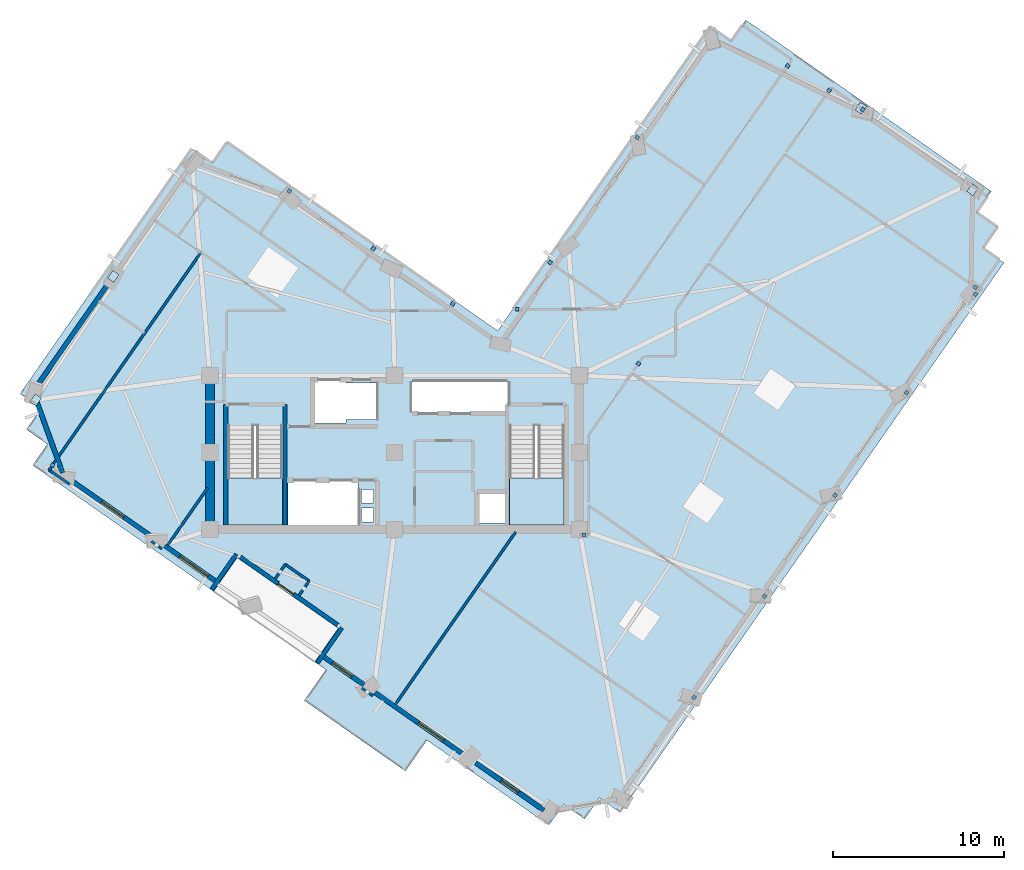
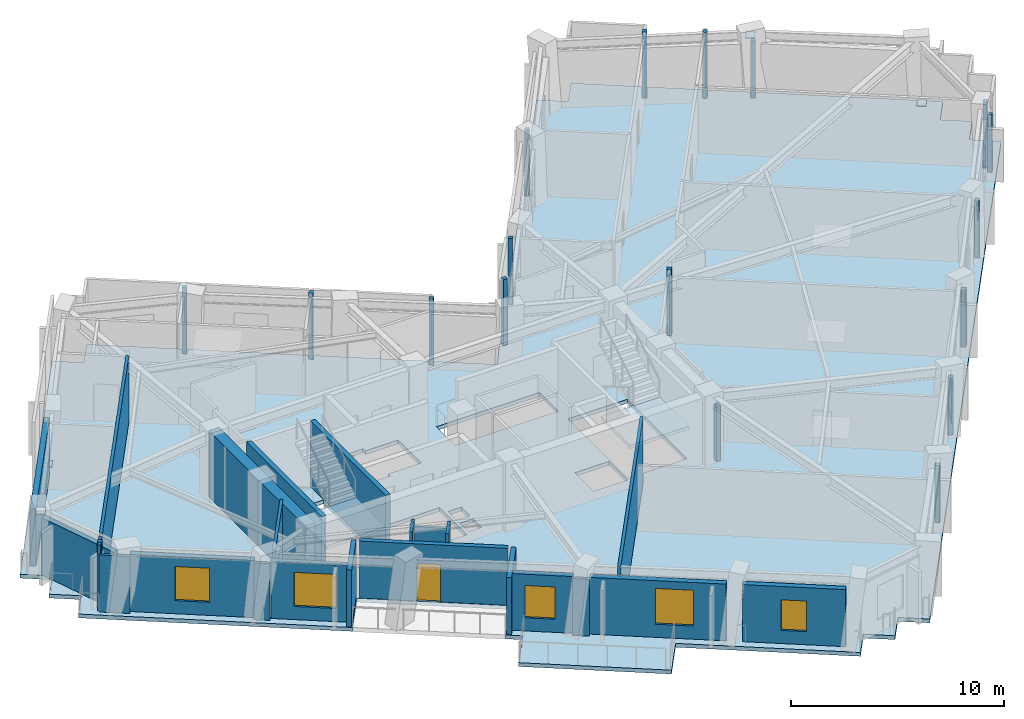
# One storey, part 3 of 12: 23 walls, 22 plates, 5 windows, 3 slabs, 1 door, 6 openings, 2 elements without a shape of their own.
"""IFC4 building model written with IfcOpenShell, lengths in metres."""

from ifc_helpers import new_model, si_unit, direction, frame, frame_2d, origin, origin_2d, place, context, subcontext, project, spatial, polyline, rectangle, outline, extrude, material, layer, layer_set, type_object, element, fill, aggregate, save


model = new_model("IFC4")

# Units and contexts
model_context = context("Model", 3, precision=1e-05, world=origin(), true_north=direction((0.0, 1.0)))
body_context = subcontext(model_context, "Body", "Model", "MODEL_VIEW")
ifc_project = project(units=[si_unit("LENGTHUNIT", "METRE"), si_unit("AREAUNIT", "SQUARE_METRE"), si_unit("VOLUMEUNIT", "CUBIC_METRE"), si_unit("PLANEANGLEUNIT", "RADIAN"), si_unit("MASSUNIT", "GRAM", prefix="KILO")], contexts=[model_context])

# Site, building, storey
site_placement = place(None, origin())
site = spatial("IfcSite", under=ifc_project, at=site_placement, CompositionType="ELEMENT")
building_placement = place(site_placement, origin())
building = spatial("IfcBuilding", under=site, at=building_placement, Name="Gaonmaruhae Medical Tower", CompositionType="ELEMENT")
storey_placement = place(building_placement, frame((0.0, 0.0, 259.199951171875)))
storey = spatial("IfcBuildingStorey", under=building, at=storey_placement, Name="L62", CompositionType="ELEMENT", Elevation=259.199951171875)

# Slab
ifc_material_1 = material(Name="Concrete C40/50", Category="concrete")
ifc_layer_1 = layer(ifc_material_1, 0.219970703125)
ifc_layer_set_1 = layer_set([ifc_layer_1], Name="Concrete C40/50")
slab_type_1 = type_object("IfcSlabType", Name="FS-220 Clinical Ward Composite Floor Slab", PredefinedType="FLOOR", material=ifc_layer_set_1)
slab_1_placement = place(storey_placement, frame((0.0, 0.0, -0.219970703125)))
element("IfcSlab", 1, at=slab_1_placement, inside=storey, type_object=slab_type_1, Name="L62 Structural Slab 1", PredefinedType="FLOOR", context=body_context, shape_type="SweptSolid", body=[
    extrude(outline(polyline([(4.49560546875, 12.79248046875), (3.265380859375, 13.650634765625), (4.12353515625, 14.880859375), (2.893310546875, 15.739013671875), (12.906005859375, 30.091796875), (14.135986328125, 29.233642578125), (14.994384765625, 30.4638671875), (30.8232421875, 19.42138671875), (43.23876953125, 37.21875), (44.468994140625, 36.3603515625), (45.327392578125, 37.5908203125), (59.679931640625, 27.578125), (58.82177734375, 26.347900390625), (60.052001953125, 25.48974609375), (59.193603515625, 24.259521484375), (60.423828125, 23.401123046875), (37.995849609375, -8.748779296875), (36.765625, -7.890380859375), (35.907470703125, -9.12060546875), (34.677001953125, -8.262451171875), (33.81884765625, -9.49267578125), (26.68359375, -4.51513671875), (25.4248046875, -6.3193359375), (19.519775390625, -2.199951171875), (20.778564453125, -0.3955078125), (20.122314453125, 0.06201171875), (21.49560546875, 2.030517578125), (15.59033203125, 6.14990234375), (14.21728515625, 4.181396484375), (3.63720703125, 11.562255859375), (4.49560546875, 12.79248046875)]), holes=[polyline([(23.550048828125, 8.25), (22.85009765625, 8.25), (22.85009765625, 9.050048828125), (23.550048828125, 9.050048828125), (23.550048828125, 8.25)]), polyline([(31.425048828125, 9.925048828125), (31.425048828125, 8.175048828125), (29.574951171875, 8.175048828125), (29.574951171875, 9.925048828125), (31.425048828125, 9.925048828125)]), polyline([(22.64990234375, 10.625), (22.64990234375, 8.074951171875), (18.550048828125, 8.074951171875), (18.550048828125, 10.625), (22.64990234375, 10.625)]), polyline([(23.550048828125, 9.35009765625), (22.85009765625, 9.35009765625), (22.85009765625, 10.14990234375), (23.550048828125, 10.14990234375), (23.550048828125, 9.35009765625)]), polyline([(15.050048828125, 13.889892578125), (18.25, 13.889892578125), (18.25, 8.300048828125), (15.050048828125, 8.300048828125), (15.050048828125, 13.889892578125)]), polyline([(31.5, 13.889892578125), (34.699951171875, 13.889892578125), (34.699951171875, 8.300048828125), (31.5, 8.300048828125), (31.5, 13.889892578125)]), polyline([(21.949951171875, 14.22509765625), (21.949951171875, 14.02490234375), (19.949951171875, 14.02490234375), (19.949951171875, 16.574951171875), (21.949951171875, 16.574951171875), (21.949951171875, 16.375), (23.72509765625, 16.375), (23.72509765625, 14.22509765625), (21.949951171875, 14.22509765625)]), polyline([(31.425048828125, 16.425048828125), (31.425048828125, 14.675048828125), (25.824951171875, 14.675048828125), (25.824951171875, 16.425048828125), (31.425048828125, 16.425048828125)])]), origin(), (0.0, 0.0, 1.0), 0.219970703125),
])

# Plates
ifc_material_2 = material(Name="Steel HSA650 (650 MPa)", Category="steel")
ifc_layer_2 = layer(ifc_material_2, 0.028076171875)
ifc_layer_set_2 = layer_set([ifc_layer_2], Name="Steel HSA650 (650 MPa)")
plate_type_1 = type_object("IfcPlateType", Name="GP-02 Tube Brace End Cap Gusset Plate", PredefinedType="USERDEFINED", material=ifc_layer_set_2)
for number, where, z_axis, x_axis, name in (
    (2, (58.586181640625, 27.670654296875, 0.23583984375), (0.0, 0.0, 1.0), (0.572145873446, 0.820151875874, 0.0), "L62 Gusset Cap Plate PLT-L62-PBR-E01A"),
    (3, (52.064697265625, 32.4404296875, 3.51611328125), (0.0, 0.0, 1.0), (0.558469218875, 0.829525244685, 0.0), "L62 Gusset Cap Plate PLT-L62-PBR-E01B"),
    (4, (8.3505859375, 22.600830078125, 0.23583984375), (0.0, 0.0, 1.0), (0.572145873446, 0.820151875874, 0.0), "L62 Gusset Cap Plate PLT-L62-PBR-N02A"),
    (5, (3.811279296875, 15.38037109375, 3.51611328125), (0.0, 0.0, 1.0), (0.558469218875, 0.829525244685, 0.0), "L62 Gusset Cap Plate PLT-L62-PBR-N02B"),
):
    element("IfcPlate", number, at=place(storey_placement, frame(where, z_axis=z_axis, x_axis=x_axis)), inside=storey, type_object=plate_type_1, Name=name, ObjectType="GUSSET_PLATE", PredefinedType="USERDEFINED", context=body_context, shape_type="SweptSolid", body=[
        extrude(rectangle(XDim=0.56005859375, YDim=0.43994140625, at=origin_2d()), origin(), (0.0, 0.0, 1.0), 0.028076171875),
    ])
ifc_material_3 = material(Name="Anodised aluminium 6063-T6", Category="aluminium")
ifc_layer_3 = layer(ifc_material_3, 0.011962890625)
ifc_layer_set_3 = layer_set([ifc_layer_3], Name="Anodised aluminium 6063-T6")
plate_type_2 = type_object("IfcPlateType", Name="PP-01 Interior Partition Corner Stiffener Plate", PredefinedType="SHEET", material=ifc_layer_set_3)
plate_1_placement = place(storey_placement, frame((42.302490234375, -2.0166015625, 0.0), z_axis=(0.0, 0.0, 1.0), x_axis=(-0.572289008237, -0.82005200509, 0.0)))
element("IfcPlate", 6, at=plate_1_placement, inside=storey, type_object=plate_type_2, Name="L62 Partition Corner Stiffener Plate PLT-L62-JGP-PW008", PredefinedType="SHEET", context=body_context, shape_type="SweptSolid", body=[
    extrude(rectangle(XDim=0.219970703125, YDim=0.219970703125, at=origin_2d()), origin(), (0.0, 0.0, 1.0), 3.264892578125),
])
plate_2_placement = place(storey_placement, frame((35.875, 7.5, 0.0), z_axis=(0.0, 0.0, 1.0), x_axis=(1.0, 0.0, 0.0)))
element("IfcPlate", 7, at=plate_2_placement, inside=storey, type_object=plate_type_2, Name="L62 Partition Corner Stiffener Plate PLT-L62-JGP-PW011", PredefinedType="SHEET", context=body_context, shape_type="SweptSolid", body=[
    extrude(rectangle(XDim=0.219970703125, YDim=0.219970703125, at=origin_2d()), origin(), (0.0, 0.0, 1.0), 3.1650390625),
])
for number, where, z_axis, x_axis, name in (
    (8, (46.42138671875, 3.888427734375, 0.0), (0.0, 0.0, 1.0), (-0.571472906544, -0.820620933858, 0.0), "L62 Partition Corner Stiffener Plate PLT-L62-JGP-PW014"),
    (9, (50.541015625, 9.79345703125, 0.0), (0.0, 0.0, 1.0), (-0.572017037232, -0.820241738219, 0.0), "L62 Partition Corner Stiffener Plate PLT-L62-JGP-PW020"),
):
    element("IfcPlate", number, at=place(storey_placement, frame(where, z_axis=z_axis, x_axis=x_axis)), inside=storey, type_object=plate_type_2, Name=name, PredefinedType="SHEET", context=body_context, shape_type="SweptSolid", body=[
        extrude(rectangle(XDim=0.219970703125, YDim=0.219970703125, at=origin_2d()), origin(), (0.0, 0.0, 1.0), 3.264892578125),
    ])
for number, where, z_axis, x_axis, name in (
    (10, (39.054931640625, 17.50146484375, 0.0), (0.0, 0.0, 1.0), (0.57221744302, 0.820101943604, 0.0), "L62 Partition Corner Stiffener Plate PLT-L62-JGP-PW021"),
    (11, (58.751953125, 21.964111328125, 0.0), (0.0, 0.0, 1.0), (0.820461316522, -0.571702044854, 0.0), "L62 Partition Corner Stiffener Plate PLT-L62-JGP-PW025"),
):
    element("IfcPlate", number, at=place(storey_placement, frame(where, z_axis=z_axis, x_axis=x_axis)), inside=storey, type_object=plate_type_2, Name=name, PredefinedType="SHEET", context=body_context, shape_type="SweptSolid", body=[
        extrude(rectangle(XDim=0.219970703125, YDim=0.219970703125, at=origin_2d()), origin(), (0.0, 0.0, 1.0), 3.780029296875),
    ])
for number, where, z_axis, x_axis, name in (
    (12, (58.74951171875, 21.5595703125, 0.0), (0.0, 0.0, 1.0), (-0.571544517054, -0.820571060314, 0.0), "L62 Partition Corner Stiffener Plate PLT-L62-JGP-PW026"),
    (13, (54.72802734375, 15.79443359375, 0.0), (0.0, 0.0, 1.0), (-0.572861373028, -0.819652272182, 0.0), "L62 Partition Corner Stiffener Plate PLT-L62-JGP-PW027"),
):
    element("IfcPlate", number, at=place(storey_placement, frame(where, z_axis=z_axis, x_axis=x_axis)), inside=storey, type_object=plate_type_2, Name=name, PredefinedType="SHEET", context=body_context, shape_type="SweptSolid", body=[
        extrude(rectangle(XDim=0.219970703125, YDim=0.219970703125, at=origin_2d()), origin(), (0.0, 0.0, 1.0), 3.264892578125),
    ])
plate_3_placement = place(storey_placement, frame((50.196533203125, 33.471435546875, 0.0), z_axis=(0.0, 0.0, 1.0), x_axis=(0.571415615003, 0.820660828193, 0.0)))
element("IfcPlate", 14, at=plate_3_placement, inside=storey, type_object=plate_type_2, Name="L62 Partition Corner Stiffener Plate PLT-L62-JGP-PW032", PredefinedType="SHEET", context=body_context, shape_type="SweptSolid", body=[
    extrude(rectangle(XDim=0.219970703125, YDim=0.219970703125, at=origin_2d()), origin(), (0.0, 0.0, 1.0), 3.780029296875),
])
plate_4_placement = place(storey_placement, frame((52.16748046875, 32.35546875, 0.0), z_axis=(0.0, 0.0, 1.0), x_axis=(0.820720662197, -0.571329672469, 0.0)))
element("IfcPlate", 15, at=plate_4_placement, inside=storey, type_object=plate_type_2, Name="L62 Partition Corner Stiffener Plate PLT-L62-JGP-PW034", PredefinedType="SHEET", context=body_context, shape_type="SweptSolid", body=[
    extrude(rectangle(XDim=0.219970703125, YDim=0.219970703125, at=origin_2d()), origin(), (0.0, 0.0, 1.0), 3.264892578125),
])
for number, where, z_axis, x_axis, name in (
    (16, (4.797119140625, 11.5634765625, 0.0), (0.0, 0.0, 1.0), (0.572002721226, 0.820251721675, 0.0), "L62 Partition Corner Stiffener Plate PLT-L62-JGP-PW050"),
    (17, (33.87646484375, 23.41748046875, 0.0), (0.0, 0.0, 1.0), (0.820201801897, -0.572074299514, 0.0), "L62 Partition Corner Stiffener Plate PLT-L62-JGP-PW054"),
    (18, (31.966552734375, 20.679931640625, 0.0), (0.0, 0.0, 1.0), (-1.0, 0.0, 0.0), "L62 Partition Corner Stiffener Plate PLT-L62-JGP-PW057"),
    (19, (38.982421875, 30.716552734375, 0.0), (0.0, 0.0, 1.0), (0.820151875874, -0.572145873446, 0.0), "L62 Partition Corner Stiffener Plate PLT-L62-JGP-PW061"),
    (20, (47.7734375, 34.909423828125, 0.0), (0.0, 0.0, 1.0), (-0.572160187709, -0.82014188992, 0.0), "L62 Partition Corner Stiffener Plate PLT-L62-JGP-PW065"),
    (21, (23.551513671875, 24.2294921875, 0.0), (0.0, 0.0, 1.0), (0.572074299514, 0.820201801897, 0.0), "L62 Partition Corner Stiffener Plate PLT-L62-JGP-PW072"),
    (22, (28.189453125, 20.993408203125, 0.0), (0.0, 0.0, 1.0), (-0.572074299514, -0.820201801897, 0.0), "L62 Partition Corner Stiffener Plate PLT-L62-JGP-PW074"),
    (23, (18.637939453125, 27.58544921875, 0.0), (0.0, 0.0, 1.0), (0.572131559008, 0.820161861578, 0.0), "L62 Partition Corner Stiffener Plate PLT-L62-JGP-PW077"),
):
    element("IfcPlate", number, at=place(storey_placement, frame(where, z_axis=z_axis, x_axis=x_axis)), inside=storey, type_object=plate_type_2, Name=name, PredefinedType="SHEET", context=body_context, shape_type="SweptSolid", body=[
        extrude(rectangle(XDim=0.219970703125, YDim=0.219970703125, at=origin_2d()), origin(), (0.0, 0.0, 1.0), 3.780029296875),
    ])

# Stair, slab
stair_type = type_object("IfcStairType", Name="ST-T1 Primary Core Escape Dogleg Stair", PredefinedType="TWO_QUARTER_TURN_STAIR", material=ifc_material_1)
stair_1_placement = place(storey_placement, origin())
stair_1 = element("IfcStair", 24, at=stair_1_placement, inside=storey, type_object=stair_type, Name="L62 Protected Escape Stair ST-01", PredefinedType="TWO_QUARTER_TURN_STAIR")
ifc_layer_4 = layer(ifc_material_1, 0.199951171875)
ifc_layer_set_4 = layer_set([ifc_layer_4], Name="Concrete C40/50")
slab_type_2 = type_object("IfcSlabType", Name="SL-200 Stair & Ramp Intermediate Concrete Landing", PredefinedType="LANDING", material=ifc_layer_set_4)
slab_2_placement = place(storey_placement, frame((0.0, 0.0, 1.800048828125)))
slab_2 = element("IfcSlab", 25, at=slab_2_placement, type_object=slab_type_2, Name="ST-01 landing 1", PredefinedType="LANDING", context=body_context, shape_type="SweptSolid", body=[
    extrude(outline(polyline([(15.050048828125, 10.820068359375), (15.050048828125, 8.0791015625), (18.25, 8.0791015625), (18.25, 10.820068359375), (15.050048828125, 10.820068359375)])), origin(), (0.0, 0.0, 1.0), 0.199951171875),
])
aggregate(stair_1, [slab_2])

stair_2_placement = place(storey_placement, origin())
stair_2 = element("IfcStair", 26, at=stair_2_placement, inside=storey, type_object=stair_type, Name="L62 Protected Escape Stair ST-02", PredefinedType="TWO_QUARTER_TURN_STAIR")
slab_3_placement = place(storey_placement, frame((0.0, 0.0, 1.800048828125)))
slab_3 = element("IfcSlab", 27, at=slab_3_placement, type_object=slab_type_2, Name="ST-02 landing 1", PredefinedType="LANDING", context=body_context, shape_type="SweptSolid", body=[
    extrude(outline(polyline([(31.5, 10.820068359375), (31.5, 8.0791015625), (34.699951171875, 8.0791015625), (34.699951171875, 10.820068359375), (31.5, 10.820068359375)])), origin(), (0.0, 0.0, 1.0), 0.199951171875),
])
aggregate(stair_2, [slab_3])

# Wall
ifc_material_4 = material(Name="Concrete C50/60", Category="concrete")
ifc_layer_5 = layer(ifc_material_4, 0.550048828125)
ifc_layer_set_5 = layer_set([ifc_layer_5], Name="Concrete C50/60")
wall_type_1 = type_object("IfcWallType", Name="CW-550 Mid-High Core Shear Wall", PredefinedType="SHEAR", material=ifc_layer_set_5)
wall_1_placement = place(storey_placement, frame((14.0, 16.800048828125, 0.0), z_axis=(0.0, 0.0, 1.0), x_axis=(0.0, -1.0, 0.0)))
element("IfcWall", 28, at=wall_1_placement, inside=storey, type_object=wall_type_1, Name="L62 Core Shear Wall CSW-W1", PredefinedType="SHEAR", context=body_context, shape_type="SweptSolid", body=[
    extrude(rectangle(XDim=9.0, YDim=0.550048828125, at=frame_2d((4.5, 0.0))), origin(), (0.0, 0.0, 1.0), 3.780029296875),
])

# Wall, opening, door
ifc_material_5 = material(Name="Precast concrete C45/55", Category="concrete")
ifc_layer_6 = layer(ifc_material_5, 0.239990234375)
ifc_layer_set_6 = layer_set([ifc_layer_6], Name="Precast concrete C45/55")
wall_type_2 = type_object("IfcWallType", Name="EW-240 Ribbon & Shelter Insulated Precast Wall", PredefinedType="SOLIDWALL", material=ifc_layer_set_6)
wall_2_placement = place(storey_placement, frame((21.477294921875, 2.2138671875, 0.0), z_axis=(0.0, 0.0, 1.0), x_axis=(-0.820148773513, 0.57215032055, 0.0)))
wall_2 = element("IfcWall", 29, at=wall_2_placement, inside=storey, type_object=wall_type_2, Name="L62 Recessed Terrace Enclosure Wall TERB", PredefinedType="SOLIDWALL", context=body_context, shape_type="SweptSolid", body=[
    extrude(rectangle(XDim=6.9599609375, YDim=0.239990234375, at=frame_2d((3.47998046875, 0.0))), origin(), (0.0, 0.0, 1.0), 3.26513671875),
])
opening_1_placement = place(wall_2_placement, frame((3.15234375, 0.0, 0.0)))
opening_1 = element("IfcOpeningElement", 30, at=opening_1_placement, cuts=wall_2, Name="Opening TD-01", PredefinedType="OPENING", context=body_context, shape_type="SweptSolid", body=[
    extrude(rectangle(XDim=1.10009765625, YDim=2.14990234375, at=frame_2d((0.550048828125, 1.074951171875))), frame((0.0, 0.1298828125, 0.0), z_axis=(0.0, -1.0, 0.0), x_axis=(1.0, 0.0, 0.0)), (0.0, 0.0, 1.0), 0.260009765625),
])
ifc_material_6 = material(Name="Anodised aluminium and toughened safety glass", Category="aluminium")
door_type = type_object("IfcDoorType", Name="TD-01 Terrace & Sky Garden Glazed Door 1100x2150", OperationType="NOTDEFINED", PredefinedType="DOOR", material=ifc_material_6)
door_placement = place(opening_1_placement, origin())
door = element("IfcDoor", 31, at=door_placement, inside=storey, type_object=door_type, Name="L62 Outdoor Terrace Access Door SLB-L62-TER", OperationType="SINGLE_SWING_RIGHT", OverallHeight=2.14990234375, OverallWidth=1.10009765625, PredefinedType="DOOR", context=body_context, shape_type="SweptSolid", body=[
    extrude(rectangle(XDim=1.10009765625, YDim=2.14990234375, at=frame_2d((0.550048828125, 1.074951171875))), frame((0.0, 0.02490234375, 0.0), z_axis=(0.0, -1.0, 0.0), x_axis=(1.0, 0.0, 0.0)), (0.0, 0.0, 1.0), 0.050048828125),
])
fill(opening_1, door)

# Walls
wall_3_placement = place(storey_placement, frame((20.276611328125, 0.00341796875, 0.0), z_axis=(0.0, 0.0, 1.0), x_axis=(0.572111321858, 0.820175978313, 0.0)))
element("IfcWall", 32, at=wall_3_placement, inside=storey, type_object=wall_type_2, Name="L62 Recessed Terrace Enclosure Wall TERL", PredefinedType="SOLIDWALL", context=body_context, shape_type="SweptSolid", body=[
    extrude(rectangle(XDim=2.499755859375, YDim=0.239990234375, at=frame_2d((1.25, 0.0))), origin(), (0.0, 0.0, 1.0), 3.26513671875),
])
wall_4_placement = place(storey_placement, frame((15.539306640625, 6.356201171875, 0.0), z_axis=(0.0, 0.0, 1.0), x_axis=(-0.57217701331, -0.820130151524, 0.0)))
element("IfcWall", 33, at=wall_4_placement, inside=storey, type_object=wall_type_2, Name="L62 Recessed Terrace Enclosure Wall TERR", PredefinedType="SOLIDWALL", context=body_context, shape_type="SweptSolid", body=[
    extrude(rectangle(XDim=2.5, YDim=0.239990234375, at=frame_2d((1.25, 0.0))), origin(), (0.0, 0.0, 1.0), 3.26513671875),
])
ifc_layer_7 = layer(ifc_material_5, 0.280029296875)
ifc_layer_set_7 = layer_set([ifc_layer_7], Name="Precast concrete C45/55")
wall_type_3 = type_object("IfcWallType", Name="EW-280 Upper Precast Masonry-Frame Facade Wall", PredefinedType="SOLIDWALL", material=ifc_layer_set_7)
wall_5_placement = place(storey_placement, frame((3.762939453125, 16.0244140625, 0.0), z_axis=(0.0, 0.0, 1.0), x_axis=(0.572152513546, 0.820147243635, 0.0)))
element("IfcWall", 34, at=wall_5_placement, inside=storey, type_object=wall_type_3, Name="L62 Precast Masonry-Frame Wall N02-N03", PredefinedType="SOLIDWALL", context=body_context, shape_type="SweptSolid", body=[
    extrude(rectangle(XDim=7.48486328125, YDim=0.280029296875, at=frame_2d((3.742431640625, 0.0))), origin(), (0.0, 0.0, 1.0), 3.26513671875),
])
wall_6_placement = place(storey_placement, frame((5.38134765625, 11.11328125, 0.0), z_axis=(0.0, 0.0, 1.0), x_axis=(-0.340119408448, 0.940382256317, 0.0)))
element("IfcWall", 35, at=wall_6_placement, inside=storey, type_object=wall_type_3, Name="L62 Precast Masonry-Frame Wall N03-W01", PredefinedType="SOLIDWALL", context=body_context, shape_type="SweptSolid", body=[
    extrude(rectangle(XDim=4.407958984375, YDim=0.280029296875, at=frame_2d((2.2041015625, 0.0))), origin(), (0.0, 0.0, 1.0), 3.26513671875),
])

# Wall, opening, window
wall_7_placement = place(storey_placement, frame((10.70751953125, 7.30078125, 0.0), z_axis=(0.0, 0.0, 1.0), x_axis=(-0.820153456828, 0.572143607194, 0.0)))
wall_7 = element("IfcWall", 36, at=wall_7_placement, inside=storey, type_object=wall_type_3, Name="L62 Precast Masonry-Frame Wall W01-W02", PredefinedType="SOLIDWALL", context=body_context, shape_type="SweptSolid", body=[
    extrude(rectangle(XDim=5.83056640625, YDim=0.280029296875, at=frame_2d((2.915283203125, 0.0))), origin(), (0.0, 0.0, 1.0), 3.26513671875),
])
opening_2_placement = place(wall_7_placement, frame((2.111328125, 0.0, 0.75)))
opening_2 = element("IfcOpeningElement", 37, at=opening_2_placement, cuts=wall_7, Name="Opening WN-01", PredefinedType="OPENING", context=body_context, shape_type="SweptSolid", body=[
    extrude(rectangle(XDim=1.60009765625, YDim=1.949951171875, at=frame_2d((0.800048828125, 0.97509765625))), frame((0.0, 0.14990234375, 0.0), z_axis=(0.0, -1.0, 0.0), x_axis=(1.0, 0.0, 0.0)), (0.0, 0.0, 1.0), 0.300048828125),
])
ifc_material_7 = material(Name="Anodised aluminium and Low-E double glazing", Category="aluminium")
window_type_1 = type_object("IfcWindowType", Name="WN-01 Ward Punched Acoustic Window 1600x1950", PartitioningType="SINGLE_PANEL", PredefinedType="WINDOW", material=ifc_material_7)
window_1_placement = place(opening_2_placement, origin())
window_1 = element("IfcWindow", 38, at=window_1_placement, inside=storey, type_object=window_type_1, Name="L62 Modular Facade Window W01", OverallHeight=1.949951171875, OverallWidth=1.60009765625, PartitioningType="SINGLE_PANEL", PredefinedType="WINDOW", context=body_context, shape_type="SweptSolid", body=[
    extrude(rectangle(XDim=1.60009765625, YDim=1.949951171875, at=frame_2d((0.800048828125, 0.97509765625))), frame((0.0, 0.030029296875, 0.0), z_axis=(0.0, -1.0, 0.0), x_axis=(1.0, 0.0, 0.0)), (0.0, 0.0, 1.0), 0.06005859375),
])
fill(opening_2, window_1)

wall_8_placement = place(storey_placement, frame((14.38427734375, 4.735595703125, 0.0), z_axis=(0.0, 0.0, 1.0), x_axis=(-0.82012983446, 0.572177467774, 0.0)))
wall_8 = element("IfcWall", 39, at=wall_8_placement, inside=storey, type_object=wall_type_3, Name="L62 Precast Masonry-Frame Wall W02-W03", PredefinedType="SOLIDWALL", context=body_context, shape_type="SweptSolid", body=[
    extrude(rectangle(XDim=3.7001953125, YDim=0.280029296875, at=frame_2d((1.85009765625, 0.0))), origin(), (0.0, 0.0, 1.0), 3.2451171875),
])
opening_3_placement = place(wall_8_placement, frame((0.60498046875, 0.0, 0.75)))
opening_3 = element("IfcOpeningElement", 40, at=opening_3_placement, cuts=wall_8, Name="Opening WN-02", PredefinedType="OPENING", context=body_context, shape_type="SweptSolid", body=[
    extrude(rectangle(XDim=2.0, YDim=1.949951171875, at=frame_2d((1.0, 0.97509765625))), frame((0.0, 0.14990234375, 0.0), z_axis=(0.0, -1.0, 0.0), x_axis=(1.0, 0.0, 0.0)), (0.0, 0.0, 1.0), 0.300048828125),
])
window_type_2 = type_object("IfcWindowType", Name="WN-02 Double-Bed Ward Punched Window 2000x1950", PartitioningType="SINGLE_PANEL", PredefinedType="WINDOW", material=ifc_material_7)
window_2_placement = place(opening_3_placement, origin())
window_2 = element("IfcWindow", 41, at=window_2_placement, inside=storey, type_object=window_type_2, Name="L62 Modular Facade Window W02", OverallHeight=1.949951171875, OverallWidth=2.0, PartitioningType="SINGLE_PANEL", PredefinedType="WINDOW", context=body_context, shape_type="SweptSolid", body=[
    extrude(rectangle(XDim=2.0, YDim=1.949951171875, at=frame_2d((1.0, 0.97509765625))), frame((0.0, 0.030029296875, 0.0), z_axis=(0.0, -1.0, 0.0), x_axis=(1.0, 0.0, 0.0)), (0.0, 0.0, 1.0), 0.06005859375),
])
fill(opening_3, window_2)

wall_9_placement = place(storey_placement, frame((23.0068359375, -1.279541015625, 0.0), z_axis=(0.0, 0.0, 1.0), x_axis=(-0.820151311961, 0.572146681794, 0.0)))
wall_9 = element("IfcWall", 42, at=wall_9_placement, inside=storey, type_object=wall_type_3, Name="L62 Precast Masonry-Frame Wall W03-W04", PredefinedType="SOLIDWALL", context=body_context, shape_type="SweptSolid", body=[
    extrude(rectangle(XDim=2.953369140625, YDim=0.280029296875, at=frame_2d((1.4765625, 0.0))), origin(), (0.0, 0.0, 1.0), 3.2451171875),
])
opening_4_placement = place(wall_9_placement, frame((0.852783203125, 0.0, 0.75)))
opening_4 = element("IfcOpeningElement", 43, at=opening_4_placement, cuts=wall_9, Name="Opening WN-03", PredefinedType="OPENING", context=body_context, shape_type="SweptSolid", body=[
    extrude(rectangle(XDim=1.39990234375, YDim=1.85009765625, at=frame_2d((0.699951171875, 0.925048828125))), frame((0.0, 0.14990234375, 0.0), z_axis=(0.0, -1.0, 0.0), x_axis=(1.0, 0.0, 0.0)), (0.0, 0.0, 1.0), 0.300048828125),
])
window_type_3 = type_object("IfcWindowType", Name="WN-03 Isolation Ward Punched Window 1400x1850", PartitioningType="SINGLE_PANEL", PredefinedType="WINDOW", material=ifc_material_7)
window_3_placement = place(opening_4_placement, origin())
window_3 = element("IfcWindow", 44, at=window_3_placement, inside=storey, type_object=window_type_3, Name="L62 Modular Facade Window W03", OverallHeight=1.85009765625, OverallWidth=1.39990234375, PartitioningType="SINGLE_PANEL", PredefinedType="WINDOW", context=body_context, shape_type="SweptSolid", body=[
    extrude(rectangle(XDim=1.39990234375, YDim=1.85009765625, at=frame_2d((0.699951171875, 0.925048828125))), frame((0.0, 0.030029296875, 0.0), z_axis=(0.0, -1.0, 0.0), x_axis=(1.0, 0.0, 0.0)), (0.0, 0.0, 1.0), 0.06005859375),
])
fill(opening_4, window_3)

wall_10_placement = place(storey_placement, frame((28.92236328125, -5.40625, 0.0), z_axis=(0.0, 0.0, 1.0), x_axis=(-0.820137735545, 0.572166142598, 0.0)))
wall_10 = element("IfcWall", 45, at=wall_10_placement, inside=storey, type_object=wall_type_3, Name="L62 Precast Masonry-Frame Wall W04-W05", PredefinedType="SOLIDWALL", context=body_context, shape_type="SweptSolid", body=[
    extrude(rectangle(XDim=6.42529296875, YDim=0.280029296875, at=frame_2d((3.212646484375, 0.0))), origin(), (0.0, 0.0, 1.0), 3.2451171875),
])
opening_5_placement = place(wall_10_placement, frame((1.527587890625, 0.0, 0.75)))
opening_5 = element("IfcOpeningElement", 46, at=opening_5_placement, cuts=wall_10, Name="Opening WN-04", PredefinedType="OPENING", context=body_context, shape_type="SweptSolid", body=[
    extrude(rectangle(XDim=1.800048828125, YDim=2.050048828125, at=frame_2d((0.89990234375, 1.02490234375))), frame((0.0, 0.14990234375, 0.0), z_axis=(0.0, -1.0, 0.0), x_axis=(1.0, 0.0, 0.0)), (0.0, 0.0, 1.0), 0.300048828125),
])
window_type_4 = type_object("IfcWindowType", Name="WN-04 Clinic & Consult Punched Window 1800x2050", PartitioningType="SINGLE_PANEL", PredefinedType="WINDOW", material=ifc_material_7)
window_4_placement = place(opening_5_placement, origin())
window_4 = element("IfcWindow", 47, at=window_4_placement, inside=storey, type_object=window_type_4, Name="L62 Modular Facade Window W04", OverallHeight=2.050048828125, OverallWidth=1.800048828125, PartitioningType="SINGLE_PANEL", PredefinedType="WINDOW", context=body_context, shape_type="SweptSolid", body=[
    extrude(rectangle(XDim=1.800048828125, YDim=2.050048828125, at=frame_2d((0.89990234375, 1.02490234375))), frame((0.0, 0.030029296875, 0.0), z_axis=(0.0, -1.0, 0.0), x_axis=(1.0, 0.0, 0.0)), (0.0, 0.0, 1.0), 0.06005859375),
])
fill(opening_5, window_4)

wall_11_placement = place(storey_placement, frame((33.529052734375, -8.619873046875, 0.0), z_axis=(0.0, 0.0, 1.0), x_axis=(-0.820161521202, 0.572132046944, 0.0)))
wall_11 = element("IfcWall", 48, at=wall_11_placement, inside=storey, type_object=wall_type_3, Name="L62 Precast Masonry-Frame Wall W05-W06", PredefinedType="SOLIDWALL", context=body_context, shape_type="SweptSolid", body=[
    extrude(rectangle(XDim=4.855712890625, YDim=0.280029296875, at=frame_2d((2.427734375, 0.0))), origin(), (0.0, 0.0, 1.0), 3.26513671875),
])
opening_6_placement = place(wall_11_placement, frame((1.832763671875, 0.0, 0.75)))
opening_6 = element("IfcOpeningElement", 49, at=opening_6_placement, cuts=wall_11, Name="Opening WN-05", PredefinedType="OPENING", context=body_context, shape_type="SweptSolid", body=[
    extrude(rectangle(XDim=1.199951171875, YDim=1.75, at=frame_2d((0.60009765625, 0.875))), frame((0.0, 0.14990234375, 0.0), z_axis=(0.0, -1.0, 0.0), x_axis=(1.0, 0.0, 0.0)), (0.0, 0.0, 1.0), 0.300048828125),
])
window_type_5 = type_object("IfcWindowType", Name="WN-05 Support & Staff Punched Window 1200x1750", PartitioningType="SINGLE_PANEL", PredefinedType="WINDOW", material=ifc_material_7)
window_5_placement = place(opening_6_placement, origin())
window_5 = element("IfcWindow", 50, at=window_5_placement, inside=storey, type_object=window_type_5, Name="L62 Modular Facade Window W05", OverallHeight=1.75, OverallWidth=1.199951171875, PartitioningType="SINGLE_PANEL", PredefinedType="WINDOW", context=body_context, shape_type="SweptSolid", body=[
    extrude(rectangle(XDim=1.199951171875, YDim=1.75, at=frame_2d((0.60009765625, 0.875))), frame((0.0, 0.030029296875, 0.0), z_axis=(0.0, -1.0, 0.0), x_axis=(1.0, 0.0, 0.0)), (0.0, 0.0, 1.0), 0.06005859375),
])
fill(opening_6, window_5)

# Walls
ifc_material_8 = material(Name="Gypsum board partition", Category="gypsum")
ifc_layer_8 = layer(ifc_material_8, 0.14990234375)
ifc_layer_set_8 = layer_set([ifc_layer_8], Name="Gypsum board partition")
wall_type_4 = type_object("IfcWallType", Name="PW-150 Rated Clinical Corridor Partition", PredefinedType="PARTITIONING", material=ifc_layer_set_8)
wall_12_placement = place(storey_placement, frame((23.52099609375, -1.9189453125, 0.0), z_axis=(0.0, 0.0, 1.0), x_axis=(-0.819988271185, 0.572380323839, 0.0)))
element("IfcWall", 51, at=wall_12_placement, inside=storey, type_object=wall_type_4, Name="L62 Interior Partition L62-WOF07-38", PredefinedType="PARTITIONING", context=body_context, shape_type="SweptSolid", body=[
    extrude(rectangle(XDim=0.787841796875, YDim=0.14990234375, at=frame_2d((0.39404296875, 0.0))), origin(), (0.0, 0.0, 1.0), 3.2451171875),
])
wall_13_placement = place(storey_placement, frame((31.87890625, 7.6689453125, 0.0), z_axis=(0.0, 0.0, 1.0), x_axis=(-0.572169487651, -0.820135401871, 0.0)))
element("IfcWall", 52, at=wall_13_placement, inside=storey, type_object=wall_type_4, Name="L62 Interior Partition L62-WOF07-40", PredefinedType="PARTITIONING", context=body_context, shape_type="SweptSolid", body=[
    extrude(rectangle(XDim=12.30029296875, YDim=0.14990234375, at=frame_2d((6.150146484375, 0.0))), origin(), (0.0, 0.0, 1.0), 3.780029296875),
])
wall_14_placement = place(storey_placement, frame((19.19189453125, 3.924072265625, 0.0), z_axis=(0.0, 0.0, 1.0), x_axis=(0.572514567375, 0.819894548185, 0.0)))
element("IfcWall", 53, at=wall_14_placement, inside=storey, type_object=wall_type_4, Name="L62 Interior Partition L62-WOF08-41", PredefinedType="PARTITIONING", context=body_context, shape_type="SweptSolid", body=[
    extrude(rectangle(XDim=1.054931640625, YDim=0.14990234375, at=frame_2d((0.52734375, 0.0))), origin(), (0.0, 0.0, 1.0), 3.780029296875),
])
wall_15_placement = place(storey_placement, frame((19.7958984375, 4.7890625, 0.0), z_axis=(0.0, 0.0, 1.0), x_axis=(-0.819993697808, 0.572372549617, 0.0)))
element("IfcWall", 54, at=wall_15_placement, inside=storey, type_object=wall_type_4, Name="L62 Interior Partition L62-WOF08-42", PredefinedType="PARTITIONING", context=body_context, shape_type="SweptSolid", body=[
    extrude(rectangle(XDim=1.69970703125, YDim=0.14990234375, at=frame_2d((0.849853515625, 0.0))), origin(), (0.0, 0.0, 1.0), 3.39501953125),
])
wall_16_placement = place(storey_placement, frame((18.402099609375, 5.761962890625, 0.0), z_axis=(0.0, 0.0, 1.0), x_axis=(-0.572514567375, -0.819894548185, 0.0)))
element("IfcWall", 55, at=wall_16_placement, inside=storey, type_object=wall_type_4, Name="L62 Interior Partition L62-WOF08-43", PredefinedType="PARTITIONING", context=body_context, shape_type="SweptSolid", body=[
    extrude(rectangle(XDim=1.054931640625, YDim=0.14990234375, at=frame_2d((0.52734375, 0.0))), origin(), (0.0, 0.0, 1.0), 3.780029296875),
])
wall_17_placement = place(storey_placement, frame((11.52197265625, 6.873046875, 0.0), z_axis=(0.0, 0.0, 1.0), x_axis=(0.572250320567, 0.820079002664, 0.0)))
element("IfcWall", 56, at=wall_17_placement, inside=storey, type_object=wall_type_4, Name="L62 Interior Partition L62-WOF08-44", PredefinedType="PARTITIONING", context=body_context, shape_type="SweptSolid", body=[
    extrude(rectangle(XDim=4.11181640625, YDim=0.14990234375, at=frame_2d((2.055908203125, 0.0))), origin(), (0.0, 0.0, 1.0), 3.780029296875),
])
wall_18_placement = place(storey_placement, frame((11.194091796875, 6.680908203125, 0.0), z_axis=(0.0, 0.0, 1.0), x_axis=(-0.820204719529, 0.572070116386, 0.0)))
element("IfcWall", 57, at=wall_18_placement, inside=storey, type_object=wall_type_4, Name="L62 Interior Partition L62-WOF09-48", PredefinedType="PARTITIONING", context=body_context, shape_type="SweptSolid", body=[
    extrude(rectangle(XDim=0.753662109375, YDim=0.14990234375, at=frame_2d((0.376953125, 0.0))), origin(), (0.0, 0.0, 1.0), 3.2451171875),
])
wall_19_placement = place(storey_placement, frame((5.7939453125, 10.447998046875, 0.0), z_axis=(0.0, 0.0, 1.0), x_axis=(-0.820097669711, 0.572223568314, 0.0)))
element("IfcWall", 58, at=wall_19_placement, inside=storey, type_object=wall_type_4, Name="L62 Interior Partition L62-WOF09-49", PredefinedType="PARTITIONING", context=body_context, shape_type="SweptSolid", body=[
    extrude(rectangle(XDim=1.455810546875, YDim=0.14990234375, at=frame_2d((0.72802734375, 0.0))), origin(), (0.0, 0.0, 1.0), 3.26513671875),
])
wall_20_placement = place(storey_placement, frame((4.60009765625, 11.281005859375, 0.0), z_axis=(0.0, 0.0, 1.0), x_axis=(0.571843275235, 0.820362888341, 0.0)))
element("IfcWall", 59, at=wall_20_placement, inside=storey, type_object=wall_type_4, Name="L62 Interior Partition L62-WOF09-50", PredefinedType="PARTITIONING", context=body_context, shape_type="SweptSolid", body=[
    extrude(rectangle(XDim=0.688720703125, YDim=0.14990234375, at=frame_2d((0.34423828125, 0.0))), origin(), (0.0, 0.0, 1.0), 3.780029296875),
])
wall_21_placement = place(storey_placement, frame((5.155029296875, 12.076904296875, 0.0), z_axis=(0.0, 0.0, 1.0), x_axis=(0.572137005571, 0.820158062118, 0.0)))
element("IfcWall", 60, at=wall_21_placement, inside=storey, type_object=wall_type_4, Name="L62 Interior Partition L62-WOF09-51", PredefinedType="PARTITIONING", context=body_context, shape_type="SweptSolid", body=[
    extrude(rectangle(XDim=14.5595703125, YDim=0.14990234375, at=frame_2d((7.27978515625, 0.0))), origin(), (0.0, 0.0, 1.0), 3.780029296875),
])
ifc_layer_9 = layer(ifc_material_4, 0.239990234375)
ifc_layer_set_9 = layer_set([ifc_layer_9], Name="Concrete C50/60")
wall_type_5 = type_object("IfcWallType", Name="SW-240 Dogleg Stair Tight Shaft Wall", PredefinedType="SOLIDWALL", material=ifc_layer_set_9)
for number, where, z_axis, x_axis, name in (
    (61, (18.3798828125, 15.1201171875, 0.0), (0.0, 0.0, 1.0), (0.0, -1.0, 0.0), "L62 ST-01 Stair Shaft Wall SHW-ST-01-E"),
    (62, (14.919921875, 8.074951171875, 0.0), (0.0, 0.0, 1.0), (0.0, 1.0, 0.0), "L62 ST-01 Stair Shaft Wall SHW-ST-01-W"),
):
    element("IfcWall", number, at=place(storey_placement, frame(where, z_axis=z_axis, x_axis=x_axis)), inside=storey, type_object=wall_type_5, Name=name, PredefinedType="SOLIDWALL", context=body_context, shape_type="SweptSolid", body=[
        extrude(rectangle(XDim=7.045166015625, YDim=0.239990234375, at=frame_2d((3.5224609375, 0.0))), origin(), (0.0, 0.0, 1.0), 3.780029296875),
    ])

save(model, "model.ifc")
